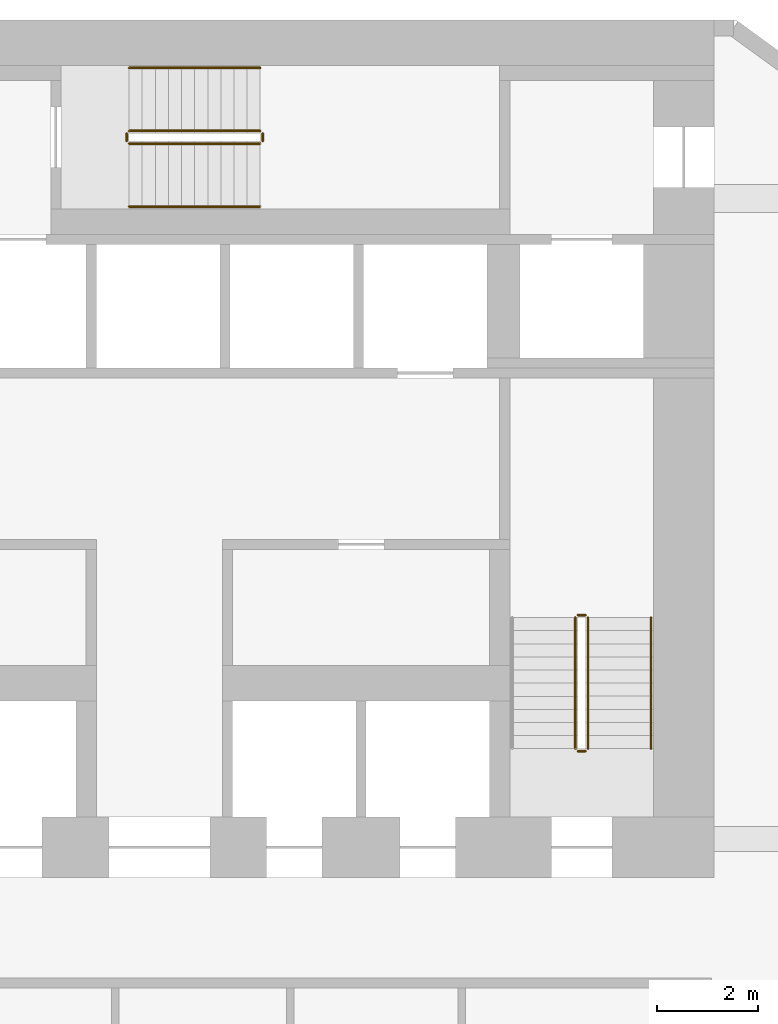
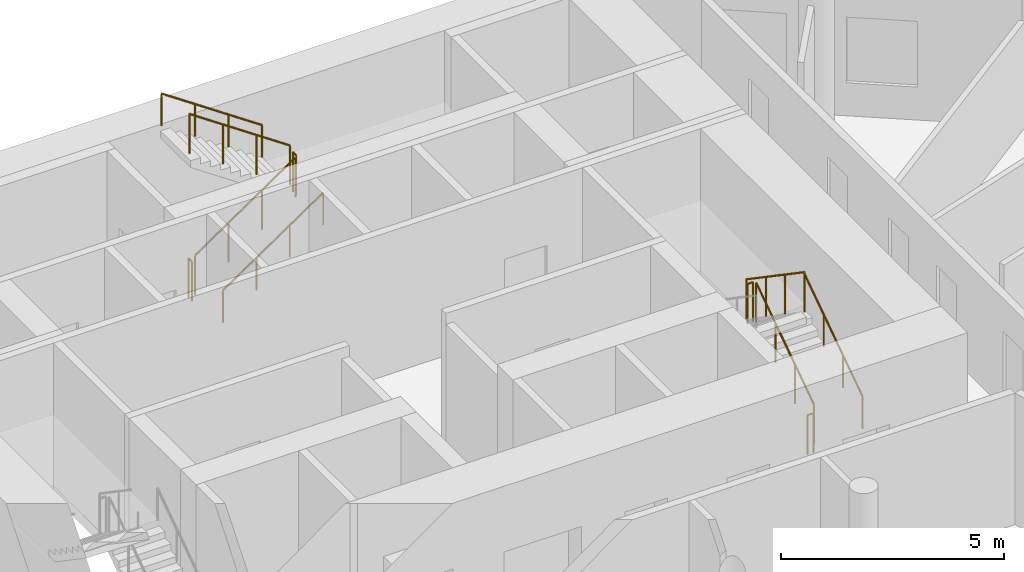
# One storey, part 9 of 9: 11 railings.
"""IFC4 building model written with IfcOpenShell, lengths in metres."""

from ifc_helpers import new_model, si_unit, direction, frame, origin, origin_2d, place, context, subcontext, project, spatial, circle, extrude, material, type_object, element, save


model = new_model("IFC4")

# Units and contexts
model_context = context("Model", 3, precision=1e-05, world=origin(), true_north=direction((0.0, 1.0)))
body_context = subcontext(model_context, "Body", "Model", "MODEL_VIEW")
ifc_project = project(units=[si_unit("LENGTHUNIT", "METRE"), si_unit("AREAUNIT", "SQUARE_METRE"), si_unit("VOLUMEUNIT", "CUBIC_METRE"), si_unit("PLANEANGLEUNIT", "RADIAN"), si_unit("MASSUNIT", "GRAM", prefix="KILO")], contexts=[model_context])

# Site, building, storey
site_placement = place(None, origin())
site = spatial("IfcSite", under=ifc_project, at=site_placement, CompositionType="ELEMENT")
building_placement = place(site_placement, origin())
building = spatial("IfcBuilding", under=site, at=building_placement, Name="White Candle Pilgrim Tower", CompositionType="ELEMENT")
storey_placement = place(building_placement, frame((0.0, 0.0, 74.10009765625)))
storey = spatial("IfcBuildingStorey", under=building, at=storey_placement, Name="L15", CompositionType="ELEMENT", Elevation=74.10009765625)

# Railings
ifc_material = material(Name="Stainless steel", Category="steel")
railing_type_1 = type_object("IfcRailingType", Name="Stair guard stainless steel 1100 mm", PredefinedType="GUARDRAIL", material=ifc_material)
railing_1_placement = place(storey_placement, frame((78.5, 73.550048828125, 0.17724609375)))
element("IfcRailing", 1, at=railing_1_placement, inside=storey, type_object=railing_type_1, Name="L15 ST2 stair guard 1", PredefinedType="GUARDRAIL", context=body_context, shape_type="SweptSolid", body=[
    extrude(circle(Radius=0.02392578125, at=origin_2d()), frame((0.0, 0.0, 1.076171875), z_axis=(0.0, 0.826215852431, 0.563353676824), x_axis=(-1.0, 0.0, 0.0)), (0.0, 0.0, 1.0), 3.146728515625),
    extrude(circle(Radius=0.02099609375, at=origin_2d()), origin(), (0.0, 0.0, 1.0), 1.052001953125),
    extrude(circle(Radius=0.02099609375, at=origin_2d()), frame((0.0, 0.86669921875, 0.5908203125)), (0.0, 0.0, 1.0), 1.052001953125),
    extrude(circle(Radius=0.02099609375, at=origin_2d()), frame((0.0, 1.733154296875, 1.181884765625)), (0.0, 0.0, 1.0), 1.052001953125),
    extrude(circle(Radius=0.02099609375, at=origin_2d()), frame((0.0, 2.599853515625, 1.772705078125)), (0.0, 0.0, 1.0), 1.052001953125),
])
railing_2_placement = place(storey_placement, frame((78.449951171875, 76.199951171875, 1.949951171875)))
element("IfcRailing", 2, at=railing_2_placement, inside=storey, type_object=railing_type_1, Name="L15 ST2 stair guard 2", PredefinedType="GUARDRAIL", context=body_context, shape_type="SweptSolid", body=[
    extrude(circle(Radius=0.02392578125, at=origin_2d()), frame((0.0, 0.0, 1.076171875), z_axis=(-1.0, 0.0, 0.0), x_axis=(0.0, -1.0, 0.0)), (0.0, 0.0, 1.0), 0.14990234375),
    extrude(circle(Radius=0.02099609375, at=origin_2d()), origin(), (0.0, 0.0, 1.0), 1.052001953125),
    extrude(circle(Radius=0.02099609375, at=origin_2d()), frame((-0.14990234375, 0.0, 0.0)), (0.0, 0.0, 1.0), 1.052001953125),
])
railing_3_placement = place(storey_placement, frame((78.25, 76.14990234375, 2.127197265625)))
element("IfcRailing", 3, at=railing_3_placement, inside=storey, type_object=railing_type_1, Name="L15 ST2 stair guard 3", PredefinedType="GUARDRAIL", context=body_context, shape_type="SweptSolid", body=[
    extrude(circle(Radius=0.02392578125, at=origin_2d()), frame((0.0, 0.0, 1.076171875), z_axis=(0.0, -0.826215852431, 0.563353676824), x_axis=(1.0, 0.0, 0.0)), (0.0, 0.0, 1.0), 3.146728515625),
    extrude(circle(Radius=0.02099609375, at=origin_2d()), origin(), (0.0, 0.0, 1.0), 1.052001953125),
    extrude(circle(Radius=0.02099609375, at=origin_2d()), frame((0.0, -0.86669921875, 0.5908203125)), (0.0, 0.0, 1.0), 1.052001953125),
    extrude(circle(Radius=0.02099609375, at=origin_2d()), frame((0.0, -1.733154296875, 1.181884765625)), (0.0, 0.0, 1.0), 1.052001953125),
    extrude(circle(Radius=0.02099609375, at=origin_2d()), frame((0.0, -2.599853515625, 1.772705078125)), (0.0, 0.0, 1.0), 1.052001953125),
])
railing_4_placement = place(storey_placement, frame((78.449951171875, 73.5, 0.0)))
element("IfcRailing", 4, at=railing_4_placement, inside=storey, type_object=railing_type_1, Name="L15 ST2 stair guard 4", PredefinedType="GUARDRAIL", context=body_context, shape_type="SweptSolid", body=[
    extrude(circle(Radius=0.02392578125, at=origin_2d()), frame((0.0, 0.0, 1.076171875), z_axis=(-1.0, 0.0, 0.0), x_axis=(0.0, -1.0, 0.0)), (0.0, 0.0, 1.0), 0.14990234375),
    extrude(circle(Radius=0.02099609375, at=origin_2d()), origin(), (0.0, 0.0, 1.0), 1.052001953125),
    extrude(circle(Radius=0.02099609375, at=origin_2d()), frame((-0.14990234375, 0.0, 0.0)), (0.0, 0.0, 1.0), 1.052001953125),
])
railing_5_placement = place(storey_placement, frame((69.39990234375, 85.550048828125, 0.17724609375)))
element("IfcRailing", 5, at=railing_5_placement, inside=storey, type_object=railing_type_1, Name="L15 ST3 stair guard 1", PredefinedType="GUARDRAIL", context=body_context, shape_type="SweptSolid", body=[
    extrude(circle(Radius=0.02392578125, at=origin_2d()), frame((0.0, 0.0, 1.076171875), z_axis=(0.826240473404, 0.0, 0.563317565952), x_axis=(0.0, 1.0, 0.0)), (0.0, 0.0, 1.0), 3.14697265625),
    extrude(circle(Radius=0.02099609375, at=origin_2d()), origin(), (0.0, 0.0, 1.0), 1.052001953125),
    extrude(circle(Radius=0.02099609375, at=origin_2d()), frame((0.86669921875, 0.0, 0.5908203125)), (0.0, 0.0, 1.0), 1.052001953125),
    extrude(circle(Radius=0.02099609375, at=origin_2d()), frame((1.7333984375, 0.0, 1.181884765625)), (0.0, 0.0, 1.0), 1.052001953125),
    extrude(circle(Radius=0.02099609375, at=origin_2d()), frame((2.60009765625, 0.0, 1.772705078125)), (0.0, 0.0, 1.0), 1.052001953125),
])
railing_6_placement = place(storey_placement, frame((72.050048828125, 85.60009765625, 1.949951171875)))
element("IfcRailing", 6, at=railing_6_placement, inside=storey, type_object=railing_type_1, Name="L15 ST3 stair guard 2", PredefinedType="GUARDRAIL", context=body_context, shape_type="SweptSolid", body=[
    extrude(circle(Radius=0.02392578125, at=origin_2d()), frame((0.0, 0.0, 1.076171875), z_axis=(0.0, 1.0, 0.0), x_axis=(-1.0, 0.0, 0.0)), (0.0, 0.0, 1.0), 0.14990234375),
    extrude(circle(Radius=0.02099609375, at=origin_2d()), origin(), (0.0, 0.0, 1.0), 1.052001953125),
    extrude(circle(Radius=0.02099609375, at=origin_2d()), frame((0.0, 0.14990234375, 0.0)), (0.0, 0.0, 1.0), 1.052001953125),
])
railing_7_placement = place(storey_placement, frame((72.0, 85.800048828125, 2.127197265625)))
element("IfcRailing", 7, at=railing_7_placement, inside=storey, type_object=railing_type_1, Name="L15 ST3 stair guard 3", PredefinedType="GUARDRAIL", context=body_context, shape_type="SweptSolid", body=[
    extrude(circle(Radius=0.02392578125, at=origin_2d()), frame((0.0, 0.0, 1.076171875), z_axis=(-0.826240473404, 0.0, 0.563317565952), x_axis=(0.0, -1.0, 0.0)), (0.0, 0.0, 1.0), 3.14697265625),
    extrude(circle(Radius=0.02099609375, at=origin_2d()), origin(), (0.0, 0.0, 1.0), 1.052001953125),
    extrude(circle(Radius=0.02099609375, at=origin_2d()), frame((-0.86669921875, 0.0, 0.5908203125)), (0.0, 0.0, 1.0), 1.052001953125),
    extrude(circle(Radius=0.02099609375, at=origin_2d()), frame((-1.7333984375, 0.0, 1.181884765625)), (0.0, 0.0, 1.0), 1.052001953125),
    extrude(circle(Radius=0.02099609375, at=origin_2d()), frame((-2.60009765625, 0.0, 1.772705078125)), (0.0, 0.0, 1.0), 1.052001953125),
])
railing_8_placement = place(storey_placement, frame((69.35009765625, 85.60009765625, 0.0)))
element("IfcRailing", 8, at=railing_8_placement, inside=storey, type_object=railing_type_1, Name="L15 ST3 stair guard 4", PredefinedType="GUARDRAIL", context=body_context, shape_type="SweptSolid", body=[
    extrude(circle(Radius=0.02392578125, at=origin_2d()), frame((0.0, 0.0, 1.076171875), z_axis=(0.0, 1.0, 0.0), x_axis=(-1.0, 0.0, 0.0)), (0.0, 0.0, 1.0), 0.14990234375),
    extrude(circle(Radius=0.02099609375, at=origin_2d()), origin(), (0.0, 0.0, 1.0), 1.052001953125),
    extrude(circle(Radius=0.02099609375, at=origin_2d()), frame((0.0, 0.14990234375, 0.0)), (0.0, 0.0, 1.0), 1.052001953125),
])
railing_type_2 = type_object("IfcRailingType", Name="Stair handrail stainless steel", PredefinedType="HANDRAIL", material=ifc_material)
railing_9_placement = place(storey_placement, frame((79.75, 73.550048828125, 0.17724609375)))
element("IfcRailing", 9, at=railing_9_placement, inside=storey, type_object=railing_type_2, Name="L15 ST2 stair handrail 1", PredefinedType="HANDRAIL", context=body_context, shape_type="SweptSolid", body=[
    extrude(circle(Radius=0.02392578125, at=origin_2d()), frame((0.0, 0.0, 0.8759765625), z_axis=(0.0, 0.826215852431, 0.563353676824), x_axis=(-1.0, 0.0, 0.0)), (0.0, 0.0, 1.0), 3.146728515625),
    extrude(circle(Radius=0.02099609375, at=origin_2d()), origin(), (0.0, 0.0, 1.0), 0.851806640625),
    extrude(circle(Radius=0.02099609375, at=origin_2d()), frame((0.0, 0.86669921875, 0.5908203125)), (0.0, 0.0, 1.0), 0.851806640625),
    extrude(circle(Radius=0.02099609375, at=origin_2d()), frame((0.0, 1.733154296875, 1.181884765625)), (0.0, 0.0, 1.0), 0.851806640625),
    extrude(circle(Radius=0.02099609375, at=origin_2d()), frame((0.0, 2.599853515625, 1.772705078125)), (0.0, 0.0, 1.0), 0.851806640625),
])
railing_10_placement = place(storey_placement, frame((69.39990234375, 84.300048828125, 0.17724609375)))
element("IfcRailing", 10, at=railing_10_placement, inside=storey, type_object=railing_type_2, Name="L15 ST3 stair handrail 1", PredefinedType="HANDRAIL", context=body_context, shape_type="SweptSolid", body=[
    extrude(circle(Radius=0.02392578125, at=origin_2d()), frame((0.0, 0.0, 0.8759765625), z_axis=(0.826240473404, 0.0, 0.563317565952), x_axis=(0.0, 1.0, 0.0)), (0.0, 0.0, 1.0), 3.14697265625),
    extrude(circle(Radius=0.02099609375, at=origin_2d()), origin(), (0.0, 0.0, 1.0), 0.851806640625),
    extrude(circle(Radius=0.02099609375, at=origin_2d()), frame((0.86669921875, 0.0, 0.5908203125)), (0.0, 0.0, 1.0), 0.851806640625),
    extrude(circle(Radius=0.02099609375, at=origin_2d()), frame((1.7333984375, 0.0, 1.181884765625)), (0.0, 0.0, 1.0), 0.851806640625),
    extrude(circle(Radius=0.02099609375, at=origin_2d()), frame((2.60009765625, 0.0, 1.772705078125)), (0.0, 0.0, 1.0), 0.851806640625),
])
railing_11_placement = place(storey_placement, frame((72.0, 87.050048828125, 2.127197265625)))
element("IfcRailing", 11, at=railing_11_placement, inside=storey, type_object=railing_type_2, Name="L15 ST3 stair handrail 2", PredefinedType="HANDRAIL", context=body_context, shape_type="SweptSolid", body=[
    extrude(circle(Radius=0.02392578125, at=origin_2d()), frame((0.0, 0.0, 0.8759765625), z_axis=(-0.826240473404, 0.0, 0.563317565952), x_axis=(0.0, -1.0, 0.0)), (0.0, 0.0, 1.0), 3.14697265625),
    extrude(circle(Radius=0.02099609375, at=origin_2d()), origin(), (0.0, 0.0, 1.0), 0.851806640625),
    extrude(circle(Radius=0.02099609375, at=origin_2d()), frame((-0.86669921875, 0.0, 0.5908203125)), (0.0, 0.0, 1.0), 0.851806640625),
    extrude(circle(Radius=0.02099609375, at=origin_2d()), frame((-1.7333984375, 0.0, 1.181884765625)), (0.0, 0.0, 1.0), 0.851806640625),
    extrude(circle(Radius=0.02099609375, at=origin_2d()), frame((-2.60009765625, 0.0, 1.772705078125)), (0.0, 0.0, 1.0), 0.851806640625),
])

save(model, "model.ifc")
